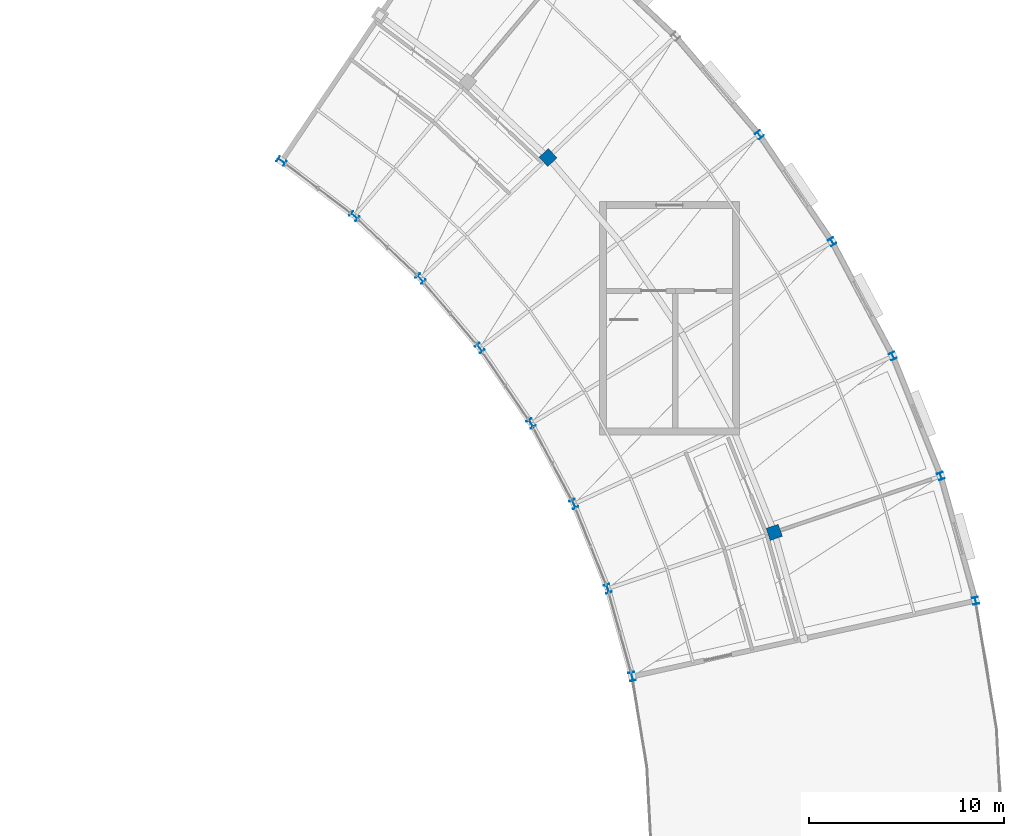
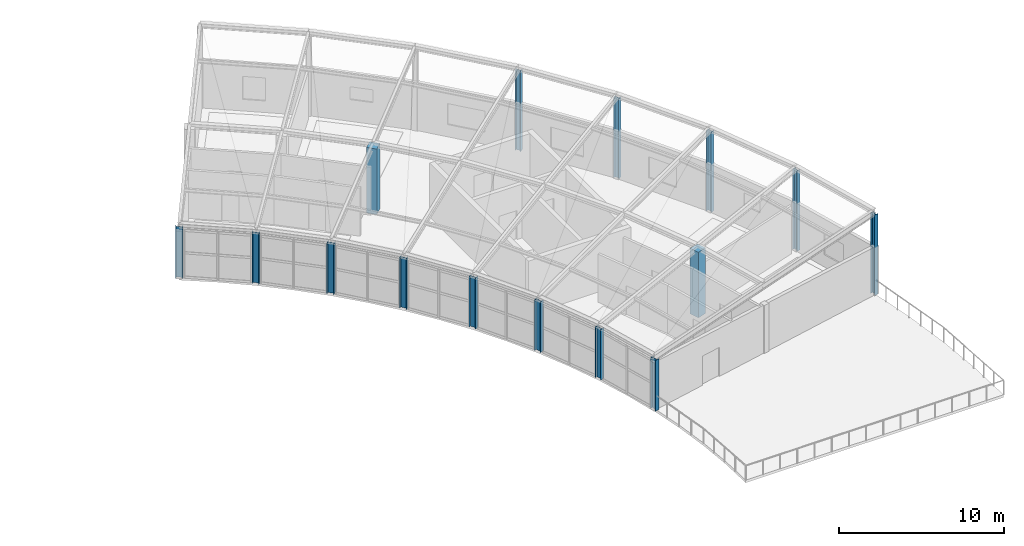
# One storey, part 2 of 36: 15 columns.
"""IFC4 building model written with IfcOpenShell, lengths in metres."""

from ifc_helpers import new_model, si_unit, direction, frame, origin, origin_2d, place, context, subcontext, project, spatial, rectangle, i_section, extrude, material, material_profile, profile_set, type_object, element, save


model = new_model("IFC4")

# Units and contexts
model_context = context("Model", 3, precision=1e-05, world=origin(), true_north=direction((0.0, 1.0)))
body_context = subcontext(model_context, "Body", "Model", "MODEL_VIEW")
ifc_project = project(units=[si_unit("LENGTHUNIT", "METRE"), si_unit("AREAUNIT", "SQUARE_METRE"), si_unit("VOLUMEUNIT", "CUBIC_METRE"), si_unit("PLANEANGLEUNIT", "RADIAN"), si_unit("MASSUNIT", "GRAM", prefix="KILO")], contexts=[model_context])

# Site, building, storey
site_placement = place(None, origin())
site = spatial("IfcSite", under=ifc_project, at=site_placement, CompositionType="ELEMENT")
building_placement = place(site_placement, origin())
building = spatial("IfcBuilding", under=site, at=building_placement, Name="Tarnveldt Headland Concert Hall", CompositionType="ELEMENT")
storey_placement = place(building_placement, frame((0.0, 0.0, 22.800048828125)))
storey = spatial("IfcBuildingStorey", under=building, at=storey_placement, Name="L05", CompositionType="ELEMENT", Elevation=22.800048828125)

# Columns
ifc_material_1 = material(Name="Concrete C40/50", Category="concrete")
ifc_material_profile_1 = material_profile(ifc_material_1, rectangle(XDim=0.64990234375, YDim=0.64990234375, at=origin_2d()), Name="RC 650x650", Category="concrete")
ifc_profile_set_1 = profile_set([ifc_material_profile_1], Name="Concrete C40/50")
column_type_1 = type_object("IfcColumnType", Name="CC-650", PredefinedType="COLUMN", material=ifc_profile_set_1)
for number, where, z_axis, x_axis, name in (
    (1, (166.7646484375, 76.643310546875, 0.0), (0.0, 0.0, 1.0), (0.947378020466, 0.320116988518, 0.0), "Column V3C12MD L05"),
    (2, (155.184814453125, 95.8310546875, 0.0), (0.0, 0.0, 1.0), (0.724653130187, 0.689113808387, 0.0), "Column V3C16MD L05"),
):
    element("IfcColumn", number, at=place(storey_placement, frame(where, z_axis=z_axis, x_axis=x_axis)), inside=storey, type_object=column_type_1, Name=name, PredefinedType="COLUMN", context=body_context, shape_type="SweptSolid", body=[
        extrude(rectangle(XDim=0.64990234375, YDim=0.64990234375, at=origin_2d()), origin(), (0.0, 0.0, 1.0), 4.83984375),
    ])
ifc_material_2 = material(Name="Steel S355", Category="steel")
ifc_material_profile_2 = material_profile(ifc_material_2, i_section(OverallWidth=0.300048828125, OverallDepth=0.360107421875, WebThickness=0.012451171875, FlangeThickness=0.0224609375, FilletRadius=0.027099609375, at=origin_2d()), Name="HEB360", Category="steel")
ifc_profile_set_2 = profile_set([ifc_material_profile_2], Name="Steel S355")
column_type_2 = type_object("IfcColumnType", Name="SC-HEB360", PredefinedType="COLUMN", material=ifc_profile_set_2)
for number, where, z_axis, x_axis, name in (
    (3, (177.06689453125, 73.14501953125, 0.0), (0.0, 0.0, 1.0), (0.976522126798, 0.215417120661, 0.0), "Column V3C11OUT L05"),
    (4, (175.291259765625, 79.523681640625, 0.0), (0.0, 0.0, 1.0), (0.947378020466, 0.320116988518, 0.0), "Column V3C12OUT L05"),
    (5, (172.834716796875, 85.672607421875, 0.0), (0.0, 0.0, 1.0), (0.907117485088, 0.42087749791, 0.0), "Column V3C13OUT L05"),
    (6, (169.726318359375, 91.518798828125, 0.0), (0.0, 0.0, 1.0), (0.856176919486, 0.516682767798, 0.0), "Column V3C14OUT L05"),
    (7, (166.00244140625, 96.993408203125, 0.0), (0.0, 0.0, 1.0), (0.795156077043, 0.60640482612, 0.0), "Column V3C15OUT L05"),
):
    element("IfcColumn", number, at=place(storey_placement, frame(where, z_axis=z_axis, x_axis=x_axis)), inside=storey, type_object=column_type_2, Name=name, PredefinedType="COLUMN", context=body_context, shape_type="SweptSolid", body=[
        extrude(i_section(OverallWidth=0.300048828125, OverallDepth=0.360107421875, WebThickness=0.012451171875, FlangeThickness=0.0224609375, FilletRadius=0.027099609375, at=origin_2d()), origin(), (0.0, 0.0, 1.0), 5.93994140625),
    ])
ifc_material_profile_3 = material_profile(ifc_material_2, i_section(OverallWidth=0.300048828125, OverallDepth=0.449951171875, WebThickness=0.013916015625, FlangeThickness=0.02587890625, FilletRadius=0.027099609375, at=origin_2d()), Name="HEB450", Category="steel")
ifc_profile_set_3 = profile_set([ifc_material_profile_3], Name="Steel S355")
column_type_3 = type_object("IfcColumnType", Name="SC-HEB450", PredefinedType="COLUMN", material=ifc_profile_set_3)
for number, where, z_axis, x_axis, name in (
    (8, (159.48974609375, 69.26611328125, 0.0), (0.0, 0.0, 1.0), (0.976522126798, 0.215417120661, 0.0), "Column V3C11IN L05"),
    (9, (158.238037109375, 73.7626953125, 0.0), (0.0, 0.0, 1.0), (0.947378020466, 0.320116988518, 0.0), "Column V3C12IN L05"),
    (10, (156.50634765625, 78.096923828125, 0.0), (0.0, 0.0, 1.0), (0.907117485088, 0.42087749791, 0.0), "Column V3C13IN L05"),
    (11, (154.315185546875, 82.218017578125, 0.0), (0.0, 0.0, 1.0), (0.856176919486, 0.516682767798, 0.0), "Column V3C14IN L05"),
    (12, (151.690185546875, 86.077392578125, 0.0), (0.0, 0.0, 1.0), (0.795156077043, 0.60640482612, 0.0), "Column V3C15IN L05"),
    (13, (148.662353515625, 89.62939453125, 0.0), (0.0, 0.0, 1.0), (0.724653130187, 0.689113808387, 0.0), "Column V3C16IN L05"),
    (14, (145.267333984375, 92.83251953125, 0.0), (0.0, 0.0, 1.0), (0.645724263505, 0.763570674869, 0.0), "Column V3C17IN L05"),
    (15, (141.54541015625, 95.648681640625, 0.0), (0.0, 0.0, 1.0), (0.559192903471, 0.829037572555, 0.0), "Column V3C18IN L05"),
):
    element("IfcColumn", number, at=place(storey_placement, frame(where, z_axis=z_axis, x_axis=x_axis)), inside=storey, type_object=column_type_3, Name=name, PredefinedType="COLUMN", context=body_context, shape_type="SweptSolid", body=[
        extrude(i_section(OverallWidth=0.300048828125, OverallDepth=0.449951171875, WebThickness=0.013916015625, FlangeThickness=0.02587890625, FilletRadius=0.027099609375, at=origin_2d()), origin(), (0.0, 0.0, 1.0), 3.739990234375),
    ])

save(model, "model.ifc")
